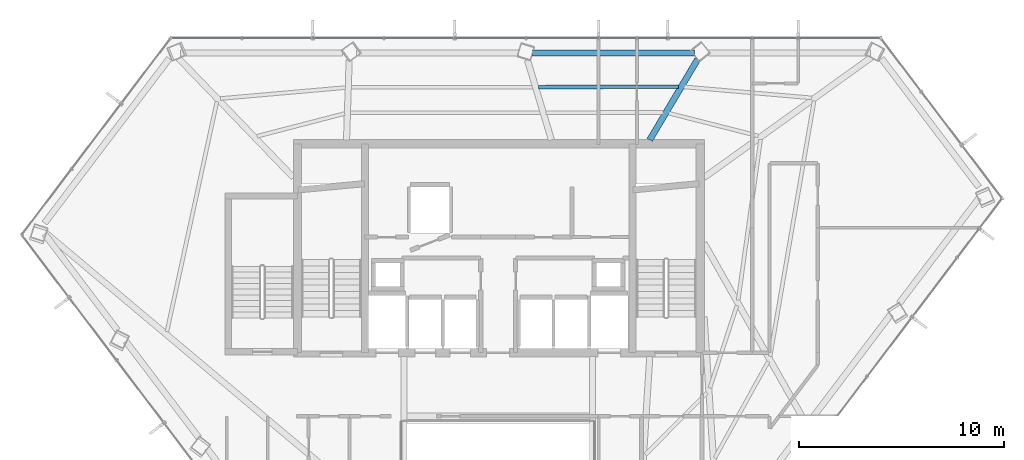
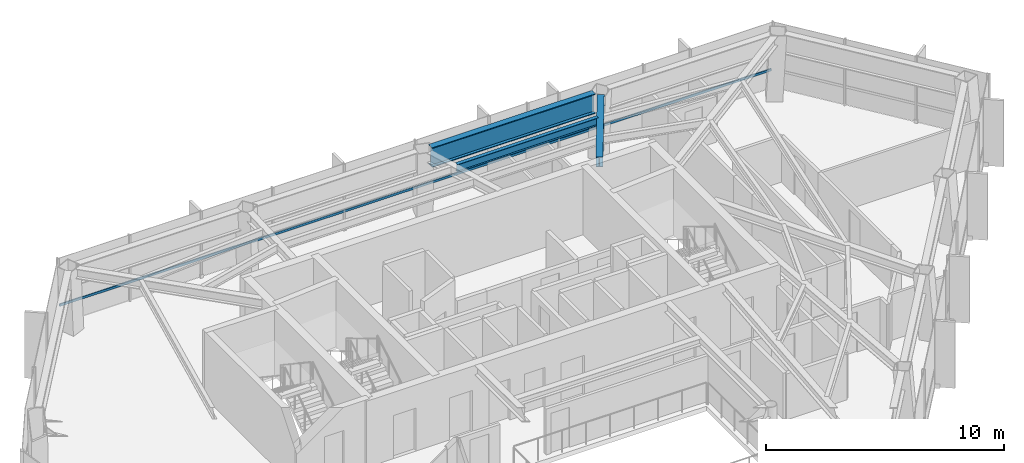
# One storey, part 14 of 28: 3 beams, 1 member, 1 element without a shape of its own.
"""IFC4 building model written with IfcOpenShell, lengths in metres."""

from ifc_helpers import new_model, si_unit, direction, frame, origin, origin_2d, place, context, subcontext, project, spatial, hollow_rectangle, i_section, extrude, material, layer, layer_set, material_profile, profile_set, type_object, element, aggregate, save


model = new_model("IFC4")

# Units and contexts
model_context = context("Model", 3, precision=1e-05, world=origin(), true_north=direction((0.0, 1.0)))
body_context = subcontext(model_context, "Body", "Model", "MODEL_VIEW")
ifc_project = project(units=[si_unit("LENGTHUNIT", "METRE"), si_unit("AREAUNIT", "SQUARE_METRE"), si_unit("VOLUMEUNIT", "CUBIC_METRE"), si_unit("PLANEANGLEUNIT", "RADIAN"), si_unit("MASSUNIT", "GRAM", prefix="KILO")], contexts=[model_context])

# Site, building, storey
site_placement = place(None, origin())
site = spatial("IfcSite", under=ifc_project, at=site_placement, CompositionType="ELEMENT")
building_placement = place(site_placement, origin())
building = spatial("IfcBuilding", under=site, at=building_placement, Name="Zarrinselat Tower", CompositionType="ELEMENT")
storey_placement = place(building_placement, frame((0.0, 0.0, 190.739990234375)))
storey = spatial("IfcBuildingStorey", under=building, at=storey_placement, Name="L47", CompositionType="ELEMENT", Elevation=190.739990234375)

# Beams
ifc_material_1 = material(Name="Steel S355J2", Category="steel")
ifc_material_profile_1 = material_profile(ifc_material_1, i_section(OverallWidth=0.300048828125, OverallDepth=0.5, WebThickness=0.014404296875, FlangeThickness=0.028076171875, at=origin_2d()), Name="HEB 500")
ifc_profile_set_1 = profile_set([ifc_material_profile_1], Name="Steel S355J2")
beam_type_1 = type_object("IfcBeamType", Name="BM-HEB500", PredefinedType="BEAM", material=ifc_profile_set_1)
beam_1_placement = place(storey_placement, frame((45.800048828125, 43.639892578125, 3.139892578125), z_axis=(0.510867719705, 0.859659335413, 0.0), x_axis=(-0.859659335413, 0.510867719705, 0.0)))
element("IfcBeam", 1, at=beam_1_placement, inside=storey, type_object=beam_type_1, Name="L47 Radial Primary Girder RG02", PredefinedType="BEAM", context=body_context, shape_type="SweptSolid", body=[
    extrude(i_section(OverallWidth=0.300048828125, OverallDepth=0.5, WebThickness=0.014404296875, FlangeThickness=0.028076171875, at=origin_2d()), origin(), (0.0, 0.0, 1.0), 4.57763671875),
])
ifc_material_2 = material(Name="Steel S460M", Category="steel")
ifc_material_profile_2 = material_profile(ifc_material_2, i_section(OverallWidth=0.302001953125, OverallDepth=1.008056640625, WebThickness=0.02099609375, FlangeThickness=0.0400390625, at=origin_2d()), Name="HEM 1000")
ifc_profile_set_2 = profile_set([ifc_material_profile_2], Name="Steel S460M")
beam_type_2 = type_object("IfcBeamType", Name="BM-HEM1000", PredefinedType="BEAM", material=ifc_profile_set_2)
beam_2_placement = place(storey_placement, frame((40.067138671875, 47.8779296875, 2.885986328125), z_axis=(1.0, 0.0, 0.0), x_axis=(0.0, 1.0, 0.0)))
element("IfcBeam", 2, at=beam_2_placement, inside=storey, type_object=beam_type_2, Name="L47 Perimeter Spandrel Girder SP02", PredefinedType="BEAM", context=body_context, shape_type="SweptSolid", body=[
    extrude(i_section(OverallWidth=0.302001953125, OverallDepth=1.008056640625, WebThickness=0.02099609375, FlangeThickness=0.0400390625, at=origin_2d()), origin(), (0.0, 0.0, 1.0), 7.913330078125),
])
ifc_material_3 = material(Name="Steel S355J2", Category="steel")
ifc_material_profile_3 = material_profile(ifc_material_3, i_section(OverallWidth=0.179931640625, OverallDepth=0.39990234375, WebThickness=0.008544921875, FlangeThickness=0.013427734375, at=origin_2d()), Name="IPE 400")
ifc_profile_set_3 = profile_set([ifc_material_profile_3], Name="Steel S355J2")
beam_type_3 = type_object("IfcBeamType", Name="BM-IPE400", PredefinedType="JOIST", material=ifc_profile_set_3)
beam_3_placement = place(storey_placement, frame((40.367919921875, 46.21484375, 3.18994140625), z_axis=(0.999994833855, 0.003214383908, 0.0), x_axis=(-0.003214383908, 0.999994833855, 0.0)))
element("IfcBeam", 3, at=beam_3_placement, inside=storey, type_object=beam_type_3, Name="L47 Composite Floor Joist 7-1", PredefinedType="JOIST", context=body_context, shape_type="SweptSolid", body=[
    extrude(i_section(OverallWidth=0.179931640625, OverallDepth=0.39990234375, WebThickness=0.008544921875, FlangeThickness=0.013427734375, at=origin_2d()), origin(), (0.0, 0.0, 1.0), 6.835693359375),
])

# Curtain wall, member
ifc_material_4 = material(Name="Extruded Aluminium Alloy EN AW-6063 T6", Category="aluminium")
ifc_layer = layer(ifc_material_4, 0.175048828125)
ifc_layer_set = layer_set([ifc_layer], Name="Extruded Aluminium Alloy EN AW-6063 T6")
curtain_wall_type = type_object("IfcCurtainWallType", Name="CWS-HTL", PredefinedType="NOTDEFINED", material=ifc_layer_set)
curtain_wall_placement = place(storey_placement, origin())
curtain_wall = element("IfcCurtainWall", 4, at=curtain_wall_placement, inside=storey, type_object=curtain_wall_type, Name="L47 Unitised Curtain Wall CW-L47-E01", PredefinedType="NOTDEFINED")
ifc_material_5 = material(Name="Extruded Aluminium Alloy EN AW-6063 T6", Category="aluminium")
ifc_material_profile_4 = material_profile(ifc_material_5, hollow_rectangle(XDim=0.06005859375, YDim=0.1201171875, WallThickness=0.00390625, at=origin_2d()), Name="RHS 120x60x4")
ifc_profile_set_4 = profile_set([ifc_material_profile_4], Name="Extruded Aluminium Alloy EN AW-6063 T6")
member_type = type_object("IfcMemberType", Name="MEM-CW-TRN2", PredefinedType="USERDEFINED", material=ifc_profile_set_4)
member_placement = place(storey_placement, frame((56.992919921875, 48.605712890625, 0.949951171875), z_axis=(-1.0, 0.0, 0.0), x_axis=(0.0, -1.0, 0.0)))
member = element("IfcMember", 5, at=member_placement, type_object=member_type, Name="CW-L47-E01 Transom 1", ObjectType="TRANSOM", PredefinedType="USERDEFINED", context=body_context, shape_type="SweptSolid", body=[
    extrude(hollow_rectangle(XDim=0.06005859375, YDim=0.1201171875, WallThickness=0.00390625, at=origin_2d()), origin(), (0.0, 0.0, 1.0), 34.481201171875),
])
aggregate(curtain_wall, [member])

save(model, "model.ifc")
